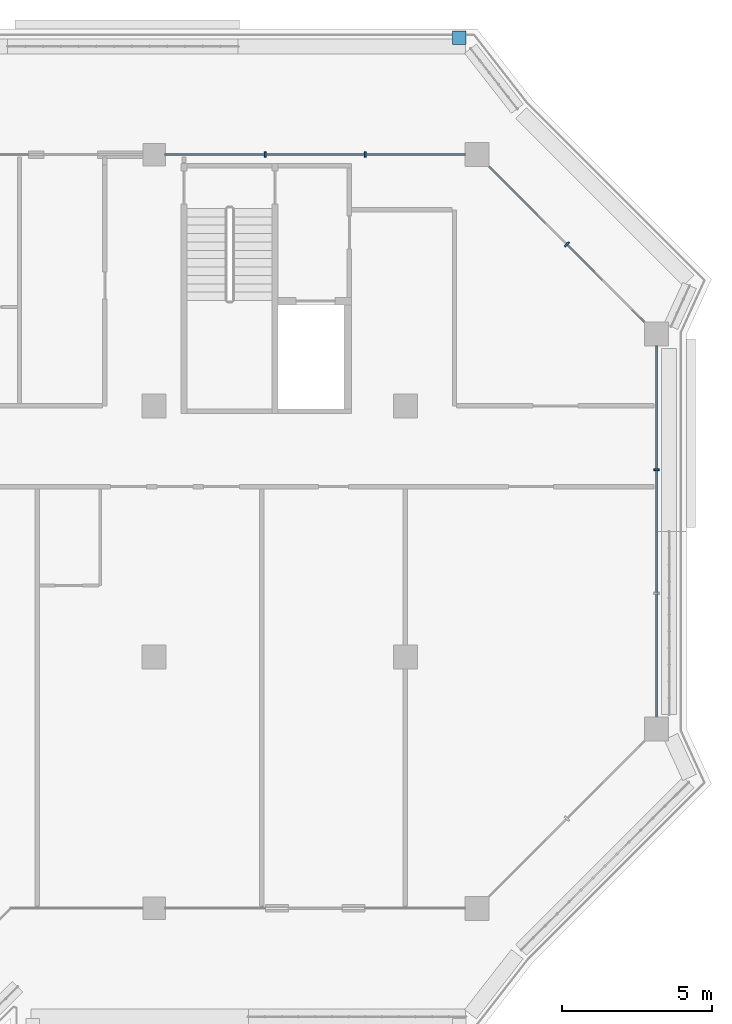
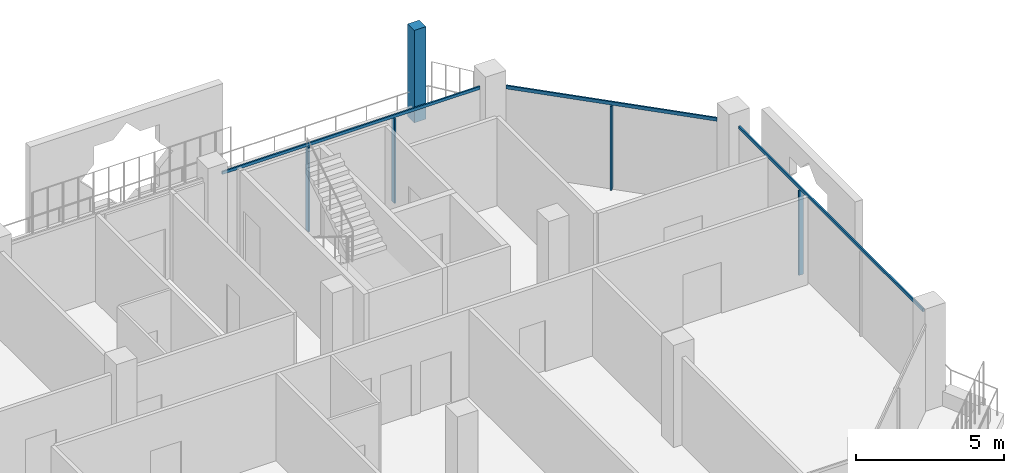
# One storey, part 8 of 21: 8 members, 4 elements without a shape of their own.
"""IFC4 building model written with IfcOpenShell, lengths in metres."""

from ifc_helpers import new_model, si_unit, direction, frame, origin, origin_2d, place, context, subcontext, project, spatial, rectangle, extrude, material, layer, layer_set, material_profile, profile_set, type_object, element, aggregate, save


model = new_model("IFC4")

# Units and contexts
model_context = context("Model", 3, precision=1e-05, world=origin(), true_north=direction((0.0, 1.0)))
body_context = subcontext(model_context, "Body", "Model", "MODEL_VIEW")
ifc_project = project(units=[si_unit("LENGTHUNIT", "METRE"), si_unit("AREAUNIT", "SQUARE_METRE"), si_unit("VOLUMEUNIT", "CUBIC_METRE"), si_unit("PLANEANGLEUNIT", "RADIAN"), si_unit("MASSUNIT", "GRAM", prefix="KILO")], contexts=[model_context])

# Site, building, storey
site_placement = place(None, origin())
site = spatial("IfcSite", under=ifc_project, at=site_placement, CompositionType="ELEMENT")
building_placement = place(site_placement, origin())
building = spatial("IfcBuilding", under=site, at=building_placement, Name="Kawkab Arch Medical Tower", CompositionType="ELEMENT")
storey_placement = place(building_placement, frame((0.0, 0.0, 302.800048828125)))
storey = spatial("IfcBuildingStorey", under=building, at=storey_placement, Name="L70", CompositionType="ELEMENT", Elevation=302.800048828125)

# Curtain wall, member
ifc_material_1 = material(Name="Bronze anodised aluminium curtain wall frame", Category="aluminium")
ifc_layer_1 = layer(ifc_material_1, 0.159912109375)
ifc_layer_set_1 = layer_set([ifc_layer_1], Name="Bronze anodised aluminium curtain wall frame")
curtain_wall_type_1 = type_object("IfcCurtainWallType", Name="CW1 ward curtain wall", PredefinedType="NOTDEFINED", material=ifc_layer_set_1)
placement = place(storey_placement, origin())
curtain_wall_1 = element("IfcCurtainWall", 1, at=placement, inside=storey, type_object=curtain_wall_type_1, Name="CW1 Ward curtain wall R13", PredefinedType="NOTDEFINED")
ifc_material_2 = material(Name="Bronze anodised aluminium curtain wall frame", Category="aluminium")
ifc_material_profile_1 = material_profile(ifc_material_2, rectangle(XDim=0.179931640625, YDim=0.06005859375, at=origin_2d()), Name="AL 60x180")
ifc_profile_set_1 = profile_set([ifc_material_profile_1], Name="Bronze anodised aluminium curtain wall frame")
member_type_1 = type_object("IfcMemberType", Name="CW1 mullion 60 x 180", PredefinedType="MULLION", material=ifc_profile_set_1)
member_1_placement = place(storey_placement, frame((58.800048828125, -10.533447265625, 0.0), z_axis=(0.0, 0.0, 1.0), x_axis=(-1.0, 0.0, 0.0)))
member_1 = element("IfcMember", 2, at=member_1_placement, type_object=member_type_1, Name="CW1 mullion 1.2", PredefinedType="MULLION", context=body_context, shape_type="SweptSolid", body=[
    extrude(rectangle(XDim=0.179931640625, YDim=0.06005859375, at=origin_2d()), origin(), (0.0, 0.0, 1.0), 3.47998046875),
])

# Curtain wall, members
curtain_wall_2 = element("IfcCurtainWall", 3, at=placement, inside=storey, type_object=curtain_wall_type_1, Name="CW1 Ward curtain wall R15", PredefinedType="NOTDEFINED")
member_2_placement = place(storey_placement, frame((49.058349609375, 0.0, 0.0), z_axis=(0.0, 0.0, 1.0), x_axis=(0.0, -1.0, 0.0)))
member_2 = element("IfcMember", 4, at=member_2_placement, type_object=member_type_1, Name="CW1 mullion 1.1", PredefinedType="MULLION", context=body_context, shape_type="SweptSolid", body=[
    extrude(rectangle(XDim=0.179931640625, YDim=0.06005859375, at=origin_2d()), origin(), (0.0, 0.0, 1.0), 3.47998046875),
])
member_3_placement = place(storey_placement, frame((45.716552734375, 0.0, 0.0), z_axis=(0.0, 0.0, 1.0), x_axis=(0.0, -1.0, 0.0)))
member_3 = element("IfcMember", 5, at=member_3_placement, type_object=member_type_1, Name="CW1 mullion 1.2", PredefinedType="MULLION", context=body_context, shape_type="SweptSolid", body=[
    extrude(rectangle(XDim=0.179931640625, YDim=0.06005859375, at=origin_2d()), origin(), (0.0, 0.0, 1.0), 3.47998046875),
])

# Member
ifc_material_3 = material(Name="Bronze anodised aluminium curtain wall frame", Category="aluminium")
ifc_material_profile_2 = material_profile(ifc_material_3, rectangle(XDim=0.06005859375, YDim=0.1201171875, at=origin_2d()), Name="AL 60x120")
ifc_profile_set_2 = profile_set([ifc_material_profile_2], Name="Bronze anodised aluminium curtain wall frame")
member_type_2 = type_object("IfcMemberType", Name="CW1 transom 120 x 60", PredefinedType="USERDEFINED", material=ifc_profile_set_2)
member_4_placement = place(storey_placement, frame((58.800048828125, -18.800048828125, 3.5400390625), z_axis=(0.0, 1.0, 0.0), x_axis=(-1.0, 0.0, 0.0)))
member_4 = element("IfcMember", 6, at=member_4_placement, type_object=member_type_2, Name="CW1 transom 1", ObjectType="TRANSOM", PredefinedType="USERDEFINED", context=body_context, shape_type="SweptSolid", body=[
    extrude(rectangle(XDim=0.06005859375, YDim=0.1201171875, at=origin_2d()), origin(), (0.0, 0.0, 1.0), 12.400146484375),
])

aggregate(curtain_wall_1, [member_4, member_1])

member_5_placement = place(storey_placement, frame((52.39990234375, 0.0, 3.5400390625), z_axis=(-1.0, 0.0, 0.0), x_axis=(0.0, -1.0, 0.0)))
member_5 = element("IfcMember", 7, at=member_5_placement, type_object=member_type_2, Name="CW1 transom 1", ObjectType="TRANSOM", PredefinedType="USERDEFINED", context=body_context, shape_type="SweptSolid", body=[
    extrude(rectangle(XDim=0.06005859375, YDim=0.1201171875, at=origin_2d()), origin(), (0.0, 0.0, 1.0), 10.02490234375),
])

aggregate(curtain_wall_2, [member_5, member_2, member_3])

# Curtain wall, members
ifc_material_4 = material(Name="Bronze anodised aluminium curtain wall frame", Category="aluminium")
ifc_layer_2 = layer(ifc_material_4, 0.159912109375)
ifc_layer_set_2 = layer_set([ifc_layer_2], Name="Bronze anodised aluminium curtain wall frame")
curtain_wall_type_2 = type_object("IfcCurtainWallType", Name="CW2 chamfer curtain wall", PredefinedType="NOTDEFINED", material=ifc_layer_set_2)
curtain_wall_3 = element("IfcCurtainWall", 8, at=placement, inside=storey, type_object=curtain_wall_type_2, Name="CW2 Chamfer curtain wall R14", PredefinedType="NOTDEFINED")
ifc_material_5 = material(Name="Bronze anodised aluminium curtain wall frame", Category="aluminium")
ifc_material_profile_3 = material_profile(ifc_material_5, rectangle(XDim=0.199951171875, YDim=0.06005859375, at=origin_2d()), Name="AL 60x200")
ifc_profile_set_3 = profile_set([ifc_material_profile_3], Name="Bronze anodised aluminium curtain wall frame")
member_type_3 = type_object("IfcMemberType", Name="CW2 mullion 60 x 200", PredefinedType="MULLION", material=ifc_profile_set_3)
member_6_placement = place(storey_placement, frame((55.800048828125, -3.0, 0.0), z_axis=(0.0, 0.0, 1.0), x_axis=(-0.707106781187, -0.707106781187, 0.0)))
member_6 = element("IfcMember", 9, at=member_6_placement, type_object=member_type_3, Name="CW2 mullion 1.1", PredefinedType="MULLION", context=body_context, shape_type="SweptSolid", body=[
    extrude(rectangle(XDim=0.199951171875, YDim=0.06005859375, at=origin_2d()), origin(), (0.0, 0.0, 1.0), 3.4599609375),
])
ifc_material_6 = material(Name="Bronze anodised aluminium curtain wall frame", Category="aluminium")
ifc_material_profile_4 = material_profile(ifc_material_6, rectangle(XDim=0.06005859375, YDim=0.139892578125, at=origin_2d()), Name="AL 60x140")
ifc_profile_set_4 = profile_set([ifc_material_profile_4], Name="Bronze anodised aluminium curtain wall frame")
member_type_4 = type_object("IfcMemberType", Name="CW2 transom 140 x 60", PredefinedType="USERDEFINED", material=ifc_profile_set_4)
member_7_placement = place(storey_placement, frame((58.39990234375, -5.60009765625, 3.530029296875), z_axis=(-0.707090181851, 0.707123380132, 0.0), x_axis=(-0.707123380132, -0.707090181851, 0.0)))
member_7 = element("IfcMember", 10, at=member_7_placement, type_object=member_type_4, Name="CW2 transom 1", ObjectType="TRANSOM", PredefinedType="USERDEFINED", context=body_context, shape_type="SweptSolid", body=[
    extrude(rectangle(XDim=0.06005859375, YDim=0.139892578125, at=origin_2d()), origin(), (0.0, 0.0, 1.0), 7.35400390625),
])
aggregate(curtain_wall_3, [member_7, member_6])

# Curtain wall, member
ifc_material_7 = material(Name="Bronze anodised aluminium climber frame, planted", Category="aluminium")
ifc_layer_3 = layer(ifc_material_7, 0.449951171875)
ifc_layer_set_3 = layer_set([ifc_layer_3], Name="Bronze anodised aluminium climber frame, planted")
curtain_wall_type_3 = type_object("IfcCurtainWallType", Name="Planted climber frame", PredefinedType="NOTDEFINED", material=ifc_layer_set_3)
curtain_wall_4 = element("IfcCurtainWall", 11, at=placement, inside=storey, type_object=curtain_wall_type_3, Name="Planted climber frame L70", PredefinedType="NOTDEFINED")
ifc_material_8 = material(Name="Bronze anodised aluminium climber frame, planted", Category="aluminium")
ifc_material_profile_5 = material_profile(ifc_material_8, rectangle(XDim=0.449951171875, YDim=0.449951171875, at=origin_2d()), Name="Post 450x450")
ifc_profile_set_5 = profile_set([ifc_material_profile_5], Name="Bronze anodised aluminium climber frame, planted")
member_type_5 = type_object("IfcMemberType", Name="Planted climber post 450 x 450", PredefinedType="MULLION", material=ifc_profile_set_5)
member_8_placement = place(storey_placement, frame((52.202880859375, 3.89990234375, 0.0), z_axis=(0.0, 0.0, 1.0), x_axis=(1.0, 0.0, 0.0)))
member_8 = element("IfcMember", 12, at=member_8_placement, type_object=member_type_5, Name="Planted climber post L70.LOG-01-01.4", PredefinedType="MULLION", context=body_context, shape_type="SweptSolid", body=[
    extrude(rectangle(XDim=0.449951171875, YDim=0.449951171875, at=origin_2d()), origin(), (0.0, 0.0, 1.0), 3.800048828125),
])
aggregate(curtain_wall_4, [member_8])

save(model, "model.ifc")
